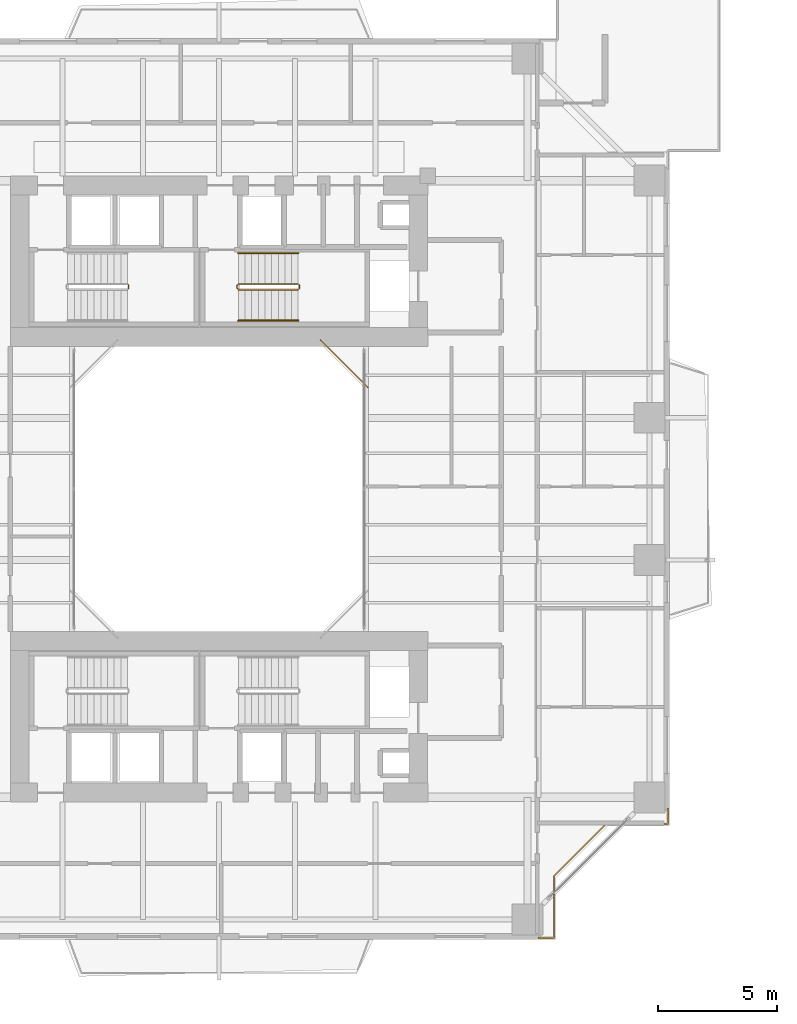
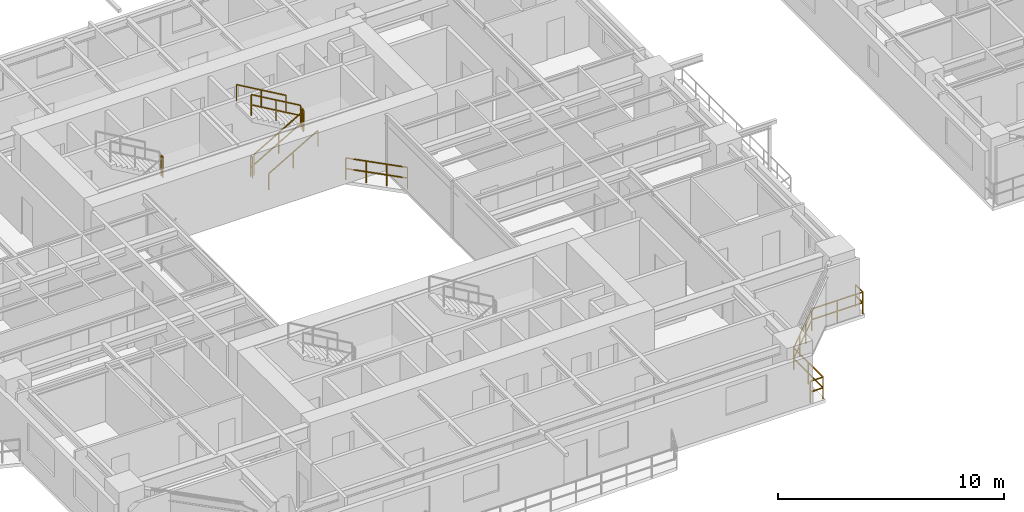
# One storey, part 21 of 23: 9 railings.
"""IFC4 building model written with IfcOpenShell, lengths in metres."""

from ifc_helpers import new_model, si_unit, direction, frame, origin, origin_2d, place, context, subcontext, project, spatial, rectangle, extrude, material, type_object, element, save


model = new_model("IFC4")

# Units and contexts
model_context = context("Model", 3, precision=1e-05, world=origin(), true_north=direction((0.0, 1.0)))
body_context = subcontext(model_context, "Body", "Model", "MODEL_VIEW")
ifc_project = project(units=[si_unit("LENGTHUNIT", "METRE"), si_unit("AREAUNIT", "SQUARE_METRE"), si_unit("VOLUMEUNIT", "CUBIC_METRE"), si_unit("PLANEANGLEUNIT", "RADIAN"), si_unit("MASSUNIT", "GRAM", prefix="KILO"), si_unit("THERMODYNAMICTEMPERATUREUNIT", "KELVIN"), si_unit("POWERUNIT", "WATT")], contexts=[model_context])

# Site, building, storey
site_placement = place(None, origin())
site = spatial("IfcSite", under=ifc_project, at=site_placement, CompositionType="ELEMENT")
building_placement = place(site_placement, origin())
building = spatial("IfcBuilding", under=site, at=building_placement, Name="Qiaomeng Ring Towers", CompositionType="ELEMENT")
storey_placement = place(building_placement, frame((0.0, 0.0, 32.75)))
storey = spatial("IfcBuildingStorey", under=building, at=storey_placement, Name="L08", CompositionType="ELEMENT", Elevation=32.75)

# Railings
ifc_material_1 = material(Name="Low-E pale-green laminated safety glass", Category="glass")
railing_type_1 = type_object("IfcRailingType", Name="ARC-RL-BAL1", PredefinedType="BALUSTRADE", material=ifc_material_1)
railing_1_placement = place(storey_placement, frame((25.280029296875, 27.280029296875, 0.0)))
element("IfcRailing", 1, at=railing_1_placement, inside=storey, type_object=railing_type_1, Name="L08 Balustrade ARC-BAL-WELL1-L08-2", PredefinedType="BALUSTRADE", context=body_context, shape_type="SweptSolid", body=[
    extrude(rectangle(XDim=0.048095703125, YDim=0.048095703125, at=origin_2d()), frame((0.0, 0.0, 1.17578125), z_axis=(-0.707106781187, 0.707106781187, 0.0), x_axis=(-0.707106781187, -0.707106781187, 0.0)), (0.0, 0.0, 1.0), 2.828369140625),
    extrude(rectangle(XDim=0.048095703125, YDim=0.048095703125, at=origin_2d()), frame((0.0, 0.0, 0.60009765625), z_axis=(-0.707106781187, 0.707106781187, 0.0), x_axis=(-0.707106781187, -0.707106781187, 0.0)), (0.0, 0.0, 1.0), 2.828369140625),
    extrude(rectangle(XDim=0.0419921875, YDim=0.0419921875, at=origin_2d()), origin(), (0.0, 0.0, 1.0), 1.15185546875),
    extrude(rectangle(XDim=0.0419921875, YDim=0.0419921875, at=origin_2d()), frame((-0.666748046875, 0.666748046875, 0.0)), (0.0, 0.0, 1.0), 1.15185546875),
    extrude(rectangle(XDim=0.0419921875, YDim=0.0419921875, at=origin_2d()), frame((-1.333251953125, 1.333251953125, 0.0)), (0.0, 0.0, 1.0), 1.15185546875),
    extrude(rectangle(XDim=0.0419921875, YDim=0.0419921875, at=origin_2d()), frame((-2.0, 2.0, 0.0)), (0.0, 0.0, 1.0), 1.15185546875),
])
railing_2_placement = place(storey_placement, frame((32.469970703125, 4.080078125, 0.0)))
element("IfcRailing", 2, at=railing_2_placement, inside=storey, type_object=railing_type_1, Name="L08 Balustrade ARC-BAL-NOTCH1-L08-SE", PredefinedType="BALUSTRADE", context=body_context, shape_type="SweptSolid", body=[
    extrude(rectangle(XDim=0.048095703125, YDim=0.048095703125, at=origin_2d()), frame((0.0, 0.0, 1.17578125), z_axis=(1.0, 0.0, 0.0), x_axis=(0.0, 1.0, 0.0)), (0.0, 0.0, 1.0), 0.650146484375),
    extrude(rectangle(XDim=0.048095703125, YDim=0.048095703125, at=origin_2d()), frame((0.0, 0.0, 0.60009765625), z_axis=(1.0, 0.0, 0.0), x_axis=(0.0, 1.0, 0.0)), (0.0, 0.0, 1.0), 0.650146484375),
    extrude(rectangle(XDim=0.048095703125, YDim=0.048095703125, at=origin_2d()), frame((0.650146484375, 0.0, 1.17578125), z_axis=(0.0, 1.0, 0.0), x_axis=(-1.0, 0.0, 0.0)), (0.0, 0.0, 1.0), 2.599853515625),
    extrude(rectangle(XDim=0.048095703125, YDim=0.048095703125, at=origin_2d()), frame((0.650146484375, 0.0, 0.60009765625), z_axis=(0.0, 1.0, 0.0), x_axis=(-1.0, 0.0, 0.0)), (0.0, 0.0, 1.0), 2.599853515625),
    extrude(rectangle(XDim=0.048095703125, YDim=0.048095703125, at=origin_2d()), frame((0.650146484375, 2.599853515625, 1.17578125), z_axis=(0.707106781187, 0.707106781187, 0.0), x_axis=(-0.707106781187, 0.707106781187, 0.0)), (0.0, 0.0, 1.0), 3.111083984375),
    extrude(rectangle(XDim=0.048095703125, YDim=0.048095703125, at=origin_2d()), frame((0.650146484375, 2.599853515625, 0.60009765625), z_axis=(0.707106781187, 0.707106781187, 0.0), x_axis=(-0.707106781187, 0.707106781187, 0.0)), (0.0, 0.0, 1.0), 3.111083984375),
    extrude(rectangle(XDim=0.048095703125, YDim=0.048095703125, at=origin_2d()), frame((2.85009765625, 4.7998046875, 1.17578125), z_axis=(1.0, 0.0, 0.0), x_axis=(0.0, 1.0, 0.0)), (0.0, 0.0, 1.0), 2.599853515625),
    extrude(rectangle(XDim=0.048095703125, YDim=0.048095703125, at=origin_2d()), frame((2.85009765625, 4.7998046875, 0.60009765625), z_axis=(1.0, 0.0, 0.0), x_axis=(0.0, 1.0, 0.0)), (0.0, 0.0, 1.0), 2.599853515625),
    extrude(rectangle(XDim=0.048095703125, YDim=0.048095703125, at=origin_2d()), frame((5.449951171875, 4.7998046875, 1.17578125), z_axis=(0.0, 1.0, 0.0), x_axis=(-1.0, 0.0, 0.0)), (0.0, 0.0, 1.0), 0.650146484375),
    extrude(rectangle(XDim=0.048095703125, YDim=0.048095703125, at=origin_2d()), frame((5.449951171875, 4.7998046875, 0.60009765625), z_axis=(0.0, 1.0, 0.0), x_axis=(-1.0, 0.0, 0.0)), (0.0, 0.0, 1.0), 0.650146484375),
    extrude(rectangle(XDim=0.0419921875, YDim=0.0419921875, at=origin_2d()), origin(), (0.0, 0.0, 1.0), 1.15185546875),
    extrude(rectangle(XDim=0.0419921875, YDim=0.0419921875, at=origin_2d()), frame((0.650146484375, 0.0, 0.0)), (0.0, 0.0, 1.0), 1.15185546875),
    extrude(rectangle(XDim=0.0419921875, YDim=0.0419921875, at=origin_2d()), frame((0.650146484375, 1.2998046875, 0.0)), (0.0, 0.0, 1.0), 1.15185546875),
    extrude(rectangle(XDim=0.0419921875, YDim=0.0419921875, at=origin_2d()), frame((0.650146484375, 2.599853515625, 0.0)), (0.0, 0.0, 1.0), 1.15185546875),
    extrude(rectangle(XDim=0.0419921875, YDim=0.0419921875, at=origin_2d()), frame((1.383544921875, 3.333251953125, 0.0)), (0.0, 0.0, 1.0), 1.15185546875),
    extrude(rectangle(XDim=0.0419921875, YDim=0.0419921875, at=origin_2d()), frame((2.11669921875, 4.06640625, 0.0)), (0.0, 0.0, 1.0), 1.15185546875),
    extrude(rectangle(XDim=0.0419921875, YDim=0.0419921875, at=origin_2d()), frame((2.85009765625, 4.7998046875, 0.0)), (0.0, 0.0, 1.0), 1.15185546875),
    extrude(rectangle(XDim=0.0419921875, YDim=0.0419921875, at=origin_2d()), frame((4.14990234375, 4.7998046875, 0.0)), (0.0, 0.0, 1.0), 1.15185546875),
    extrude(rectangle(XDim=0.0419921875, YDim=0.0419921875, at=origin_2d()), frame((5.449951171875, 4.7998046875, 0.0)), (0.0, 0.0, 1.0), 1.15185546875),
    extrude(rectangle(XDim=0.0419921875, YDim=0.0419921875, at=origin_2d()), frame((5.449951171875, 5.449951171875, 0.0)), (0.0, 0.0, 1.0), 1.15185546875),
])
ifc_material_2 = material(Name="Galvanised steel", Category="steel")
railing_type_2 = type_object("IfcRailingType", Name="ARC-RL-GUARD", PredefinedType="GUARDRAIL", material=ifc_material_2)
railing_3_placement = place(storey_placement, frame((15.18994140625, 31.449951171875, 1.625)))
element("IfcRailing", 3, at=railing_3_placement, inside=storey, type_object=railing_type_2, Name="L08 ST1 stair guard 2", PredefinedType="GUARDRAIL", context=body_context, shape_type="SweptSolid", body=[
    extrude(rectangle(XDim=0.048095703125, YDim=0.048095703125, at=origin_2d()), frame((0.0, 0.0, 1.1259765625), z_axis=(0.0, 1.0, 0.0), x_axis=(-1.0, 0.0, 0.0)), (0.0, 0.0, 1.0), 0.14013671875),
    extrude(rectangle(XDim=0.048095703125, YDim=0.048095703125, at=origin_2d()), frame((0.0, 0.0, 0.574951171875), z_axis=(0.0, 1.0, 0.0), x_axis=(-1.0, 0.0, 0.0)), (0.0, 0.0, 1.0), 0.14013671875),
    extrude(rectangle(XDim=0.0419921875, YDim=0.0419921875, at=origin_2d()), origin(), (0.0, 0.0, 1.0), 1.101806640625),
    extrude(rectangle(XDim=0.0419921875, YDim=0.0419921875, at=origin_2d()), frame((0.0, 0.14013671875, 0.0)), (0.0, 0.0, 1.0), 1.101806640625),
])
railing_4_placement = place(storey_placement, frame((19.820068359375, 31.39990234375, 0.16259765625)))
element("IfcRailing", 4, at=railing_4_placement, inside=storey, type_object=railing_type_2, Name="L08 ST2 stair guard 1", PredefinedType="GUARDRAIL", context=body_context, shape_type="SweptSolid", body=[
    extrude(rectangle(XDim=0.048095703125, YDim=0.048095703125, at=origin_2d()), frame((0.0, 0.0, 1.1259765625), z_axis=(0.864913338283, 0.0, 0.50192122615), x_axis=(0.0, 1.0, 0.0)), (0.0, 0.0, 1.0), 2.91357421875),
    extrude(rectangle(XDim=0.048095703125, YDim=0.048095703125, at=origin_2d()), frame((0.0, 0.0, 0.574951171875), z_axis=(0.864913338283, 0.0, 0.50192122615), x_axis=(0.0, 1.0, 0.0)), (0.0, 0.0, 1.0), 2.91357421875),
    extrude(rectangle(XDim=0.0419921875, YDim=0.0419921875, at=origin_2d()), origin(), (0.0, 0.0, 1.0), 1.101806640625),
    extrude(rectangle(XDim=0.0419921875, YDim=0.0419921875, at=origin_2d()), frame((1.260009765625, 0.0, 0.731201171875)), (0.0, 0.0, 1.0), 1.101806640625),
    extrude(rectangle(XDim=0.0419921875, YDim=0.0419921875, at=origin_2d()), frame((2.52001953125, 0.0, 1.46240234375)), (0.0, 0.0, 1.0), 1.101806640625),
])
railing_5_placement = place(storey_placement, frame((22.389892578125, 31.449951171875, 1.625)))
element("IfcRailing", 5, at=railing_5_placement, inside=storey, type_object=railing_type_2, Name="L08 ST2 stair guard 2", PredefinedType="GUARDRAIL", context=body_context, shape_type="SweptSolid", body=[
    extrude(rectangle(XDim=0.048095703125, YDim=0.048095703125, at=origin_2d()), frame((0.0, 0.0, 1.1259765625), z_axis=(0.0, 1.0, 0.0), x_axis=(-1.0, 0.0, 0.0)), (0.0, 0.0, 1.0), 0.14013671875),
    extrude(rectangle(XDim=0.048095703125, YDim=0.048095703125, at=origin_2d()), frame((0.0, 0.0, 0.574951171875), z_axis=(0.0, 1.0, 0.0), x_axis=(-1.0, 0.0, 0.0)), (0.0, 0.0, 1.0), 0.14013671875),
    extrude(rectangle(XDim=0.0419921875, YDim=0.0419921875, at=origin_2d()), origin(), (0.0, 0.0, 1.0), 1.101806640625),
    extrude(rectangle(XDim=0.0419921875, YDim=0.0419921875, at=origin_2d()), frame((0.0, 0.14013671875, 0.0)), (0.0, 0.0, 1.0), 1.101806640625),
])
railing_6_placement = place(storey_placement, frame((22.340087890625, 31.639892578125, 1.78759765625)))
element("IfcRailing", 6, at=railing_6_placement, inside=storey, type_object=railing_type_2, Name="L08 ST2 stair guard 3", PredefinedType="GUARDRAIL", context=body_context, shape_type="SweptSolid", body=[
    extrude(rectangle(XDim=0.048095703125, YDim=0.048095703125, at=origin_2d()), frame((0.0, 0.0, 1.1259765625), z_axis=(-0.864913338283, 0.0, 0.50192122615), x_axis=(0.0, -1.0, 0.0)), (0.0, 0.0, 1.0), 2.91357421875),
    extrude(rectangle(XDim=0.048095703125, YDim=0.048095703125, at=origin_2d()), frame((0.0, 0.0, 0.574951171875), z_axis=(-0.864913338283, 0.0, 0.50192122615), x_axis=(0.0, -1.0, 0.0)), (0.0, 0.0, 1.0), 2.91357421875),
    extrude(rectangle(XDim=0.0419921875, YDim=0.0419921875, at=origin_2d()), origin(), (0.0, 0.0, 1.0), 1.101806640625),
    extrude(rectangle(XDim=0.0419921875, YDim=0.0419921875, at=origin_2d()), frame((-1.260009765625, 0.0, 0.731201171875)), (0.0, 0.0, 1.0), 1.101806640625),
    extrude(rectangle(XDim=0.0419921875, YDim=0.0419921875, at=origin_2d()), frame((-2.52001953125, 0.0, 1.46240234375)), (0.0, 0.0, 1.0), 1.101806640625),
])
railing_7_placement = place(storey_placement, frame((19.77001953125, 31.449951171875, 0.0)))
element("IfcRailing", 7, at=railing_7_placement, inside=storey, type_object=railing_type_2, Name="L08 ST2 stair guard 4", PredefinedType="GUARDRAIL", context=body_context, shape_type="SweptSolid", body=[
    extrude(rectangle(XDim=0.048095703125, YDim=0.048095703125, at=origin_2d()), frame((0.0, 0.0, 1.1259765625), z_axis=(0.0, 1.0, 0.0), x_axis=(-1.0, 0.0, 0.0)), (0.0, 0.0, 1.0), 0.14013671875),
    extrude(rectangle(XDim=0.048095703125, YDim=0.048095703125, at=origin_2d()), frame((0.0, 0.0, 0.574951171875), z_axis=(0.0, 1.0, 0.0), x_axis=(-1.0, 0.0, 0.0)), (0.0, 0.0, 1.0), 0.14013671875),
    extrude(rectangle(XDim=0.0419921875, YDim=0.0419921875, at=origin_2d()), origin(), (0.0, 0.0, 1.0), 1.101806640625),
    extrude(rectangle(XDim=0.0419921875, YDim=0.0419921875, at=origin_2d()), frame((0.0, 0.14013671875, 0.0)), (0.0, 0.0, 1.0), 1.101806640625),
])
ifc_material_3 = material(Name="Stainless steel 316", Category="steel")
railing_type_3 = type_object("IfcRailingType", Name="ARC-RL-HAND", PredefinedType="HANDRAIL", material=ifc_material_3)
railing_8_placement = place(storey_placement, frame((19.820068359375, 30.10009765625, 0.16259765625)))
element("IfcRailing", 8, at=railing_8_placement, inside=storey, type_object=railing_type_3, Name="L08 ST2 stair handrail 1", PredefinedType="HANDRAIL", context=body_context, shape_type="SweptSolid", body=[
    extrude(rectangle(XDim=0.048095703125, YDim=0.048095703125, at=origin_2d()), frame((0.0, 0.0, 0.8759765625), z_axis=(0.864913338283, 0.0, 0.50192122615), x_axis=(0.0, 1.0, 0.0)), (0.0, 0.0, 1.0), 2.91357421875),
    extrude(rectangle(XDim=0.0419921875, YDim=0.0419921875, at=origin_2d()), origin(), (0.0, 0.0, 1.0), 0.851806640625),
    extrude(rectangle(XDim=0.0419921875, YDim=0.0419921875, at=origin_2d()), frame((1.260009765625, 0.0, 0.731201171875)), (0.0, 0.0, 1.0), 0.851806640625),
    extrude(rectangle(XDim=0.0419921875, YDim=0.0419921875, at=origin_2d()), frame((2.52001953125, 0.0, 1.46240234375)), (0.0, 0.0, 1.0), 0.851806640625),
])
railing_9_placement = place(storey_placement, frame((22.340087890625, 32.93994140625, 1.78759765625)))
element("IfcRailing", 9, at=railing_9_placement, inside=storey, type_object=railing_type_3, Name="L08 ST2 stair handrail 2", PredefinedType="HANDRAIL", context=body_context, shape_type="SweptSolid", body=[
    extrude(rectangle(XDim=0.048095703125, YDim=0.048095703125, at=origin_2d()), frame((0.0, 0.0, 0.8759765625), z_axis=(-0.864913338283, 0.0, 0.50192122615), x_axis=(0.0, -1.0, 0.0)), (0.0, 0.0, 1.0), 2.91357421875),
    extrude(rectangle(XDim=0.0419921875, YDim=0.0419921875, at=origin_2d()), origin(), (0.0, 0.0, 1.0), 0.851806640625),
    extrude(rectangle(XDim=0.0419921875, YDim=0.0419921875, at=origin_2d()), frame((-1.260009765625, 0.0, 0.731201171875)), (0.0, 0.0, 1.0), 0.851806640625),
    extrude(rectangle(XDim=0.0419921875, YDim=0.0419921875, at=origin_2d()), frame((-2.52001953125, 0.0, 1.46240234375)), (0.0, 0.0, 1.0), 0.851806640625),
])

save(model, "model.ifc")
